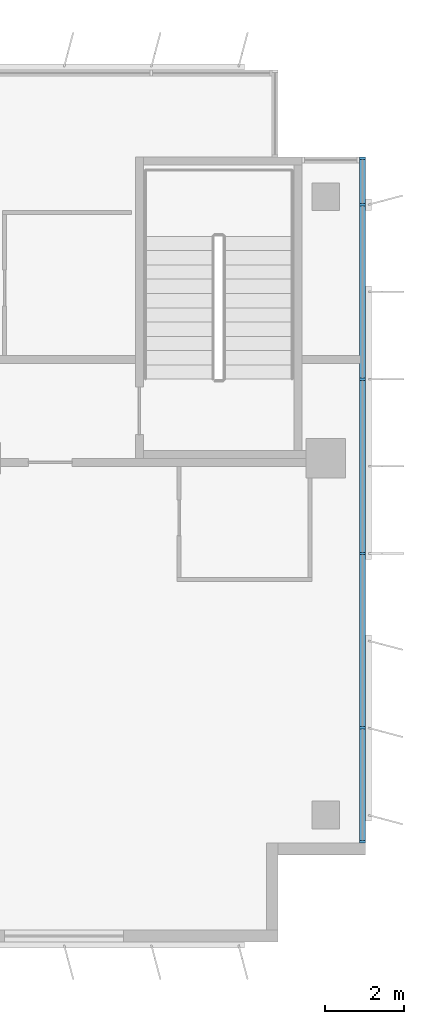
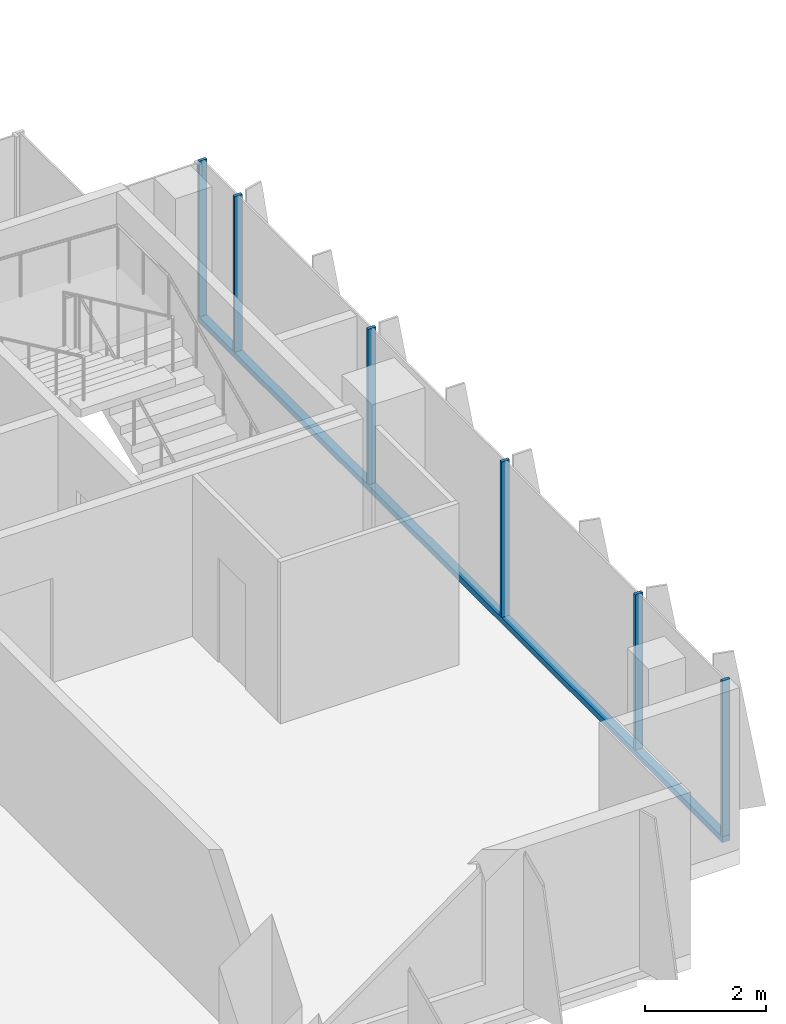
# One storey, part 8 of 21: 7 members, 1 element without a shape of its own.
"""IFC4 building model written with IfcOpenShell, lengths in metres."""

from ifc_helpers import new_model, si_unit, direction, frame, origin, origin_2d, place, context, subcontext, project, spatial, rectangle, extrude, source, transform, mapped, material, material_profile, profile_set, type_object, element, aggregate, save


model = new_model("IFC4")

# Units and contexts
model_context = context("Model", 3, precision=1e-05, world=origin(), true_north=direction((0.0, 1.0)))
body_context = subcontext(model_context, "Body", "Model", "MODEL_VIEW")
ifc_project = project(units=[si_unit("LENGTHUNIT", "METRE"), si_unit("AREAUNIT", "SQUARE_METRE"), si_unit("VOLUMEUNIT", "CUBIC_METRE"), si_unit("PLANEANGLEUNIT", "RADIAN"), si_unit("MASSUNIT", "GRAM", prefix="KILO")], contexts=[model_context])

# Site, building, storey
site_placement = place(None, origin())
site = spatial("IfcSite", under=ifc_project, at=site_placement, CompositionType="ELEMENT")
building_placement = place(site_placement, origin())
building = spatial("IfcBuilding", under=site, at=building_placement, Name="Kemantara Hotel Tower", CompositionType="ELEMENT")
storey_placement = place(building_placement, frame((0.0, 0.0, 198.800048828125)))
storey = spatial("IfcBuildingStorey", under=building, at=storey_placement, Name="L49", CompositionType="ELEMENT", Elevation=198.800048828125)

# Curtain wall, members
ifc_material_1 = material(Name="Low-E tinted double insulated glass 36 mm", Category="glass")
curtain_wall_type = type_object("IfcCurtainWallType", Name="TOWER CURTAIN WALL, FRONT FACES", PredefinedType="USERDEFINED", material=ifc_material_1)
curtain_wall_placement = place(storey_placement, origin())
curtain_wall = element("IfcCurtainWall", 1, at=curtain_wall_placement, inside=storey, type_object=curtain_wall_type, Name="CW4 L49 T3-R11-1", ObjectType="TOWER CURTAIN WALL, FRONT FACES", PredefinedType="USERDEFINED")
ifc_material_2 = material(Name="Aluminium 6063-T6 bronze anodised", Category="aluminium")
ifc_material_profile_1 = material_profile(ifc_material_2, rectangle(XDim=0.14990234375, YDim=0.1201171875, at=origin_2d()), Name="TOWER CURTAIN WALL, FRONT FACES TRANSOM")
ifc_profile_set_1 = profile_set([ifc_material_profile_1], Name="Aluminium 6063-T6 bronze anodised")
member_type_1 = type_object("IfcMemberType", Name="TOWER CURTAIN WALL, FRONT FACES TRANSOM", PredefinedType="USERDEFINED", material=ifc_profile_set_1)
member_1_placement = place(storey_placement, frame((63.52490234375, 2.5, 0.06005859375), z_axis=(0.0, 1.0, 0.0), x_axis=(-1.0, 0.0, 0.0)))
member_1 = element("IfcMember", 2, at=member_1_placement, type_object=member_type_1, Name="CW4 sill transom T3-R11-1", ObjectType="TRANSOM", PredefinedType="USERDEFINED", context=body_context, shape_type="SweptSolid", body=[
    extrude(rectangle(XDim=0.14990234375, YDim=0.1201171875, at=origin_2d()), origin(), (0.0, 0.0, 1.0), 17.300048828125),
])
ifc_material_profile_2 = material_profile(ifc_material_2, rectangle(XDim=0.14990234375, YDim=0.06005859375, at=origin_2d()), Name="TOWER CURTAIN WALL, FRONT FACES MULLION")
ifc_profile_set_2 = profile_set([ifc_material_profile_2], Name="Aluminium 6063-T6 bronze anodised")
member_type_2 = type_object("IfcMemberType", Name="TOWER CURTAIN WALL, FRONT FACES MULLION", PredefinedType="MULLION", material=ifc_profile_set_2)
shared_shape = source(origin(), body_context, "Body", "SweptSolid", [
    extrude(rectangle(XDim=0.14990234375, YDim=0.06005859375, at=origin_2d()), origin(), (0.0, 0.0, 1.0), 3.130126953125),
])
member_2_placement = place(storey_placement, frame((63.52490234375, 2.530029296875, 0.119873046875), z_axis=(0.0, 0.0, 1.0), x_axis=(-1.0, 0.0, 0.0)))
member_2 = element("IfcMember", 3, at=member_2_placement, type_object=member_type_2, Name="CW4 mullion T3-R11-1.1", PredefinedType="MULLION", context=body_context, shape_type="MappedRepresentation", body=[
    mapped(shared_shape, transform((0.0, 0.0, 0.0))),
])
member_3_placement = place(storey_placement, frame((63.52490234375, 5.39990234375, 0.119873046875), z_axis=(0.0, 0.0, 1.0), x_axis=(-1.0, 0.0, 0.0)))
member_3 = element("IfcMember", 4, at=member_3_placement, type_object=member_type_2, Name="CW4 mullion T3-R11-1.2", PredefinedType="MULLION", context=body_context, shape_type="MappedRepresentation", body=[
    mapped(shared_shape, transform((0.0, 0.0, 0.0))),
])
member_4_placement = place(storey_placement, frame((63.52490234375, 9.800048828125, 0.119873046875), z_axis=(0.0, 0.0, 1.0), x_axis=(-1.0, 0.0, 0.0)))
member_4 = element("IfcMember", 5, at=member_4_placement, type_object=member_type_2, Name="CW4 mullion T3-R11-1.3", PredefinedType="MULLION", context=body_context, shape_type="MappedRepresentation", body=[
    mapped(shared_shape, transform((0.0, 0.0, 0.0))),
])
member_5_placement = place(storey_placement, frame((63.52490234375, 14.199951171875, 0.119873046875), z_axis=(0.0, 0.0, 1.0), x_axis=(-1.0, 0.0, 0.0)))
member_5 = element("IfcMember", 6, at=member_5_placement, type_object=member_type_2, Name="CW4 mullion T3-R11-1.4", PredefinedType="MULLION", context=body_context, shape_type="MappedRepresentation", body=[
    mapped(shared_shape, transform((0.0, 0.0, 0.0))),
])
member_6_placement = place(storey_placement, frame((63.52490234375, 18.60009765625, 0.119873046875), z_axis=(0.0, 0.0, 1.0), x_axis=(-1.0, 0.0, 0.0)))
member_6 = element("IfcMember", 7, at=member_6_placement, type_object=member_type_2, Name="CW4 mullion T3-R11-1.5", PredefinedType="MULLION", context=body_context, shape_type="MappedRepresentation", body=[
    mapped(shared_shape, transform((0.0, 0.0, 0.0))),
])
member_7_placement = place(storey_placement, frame((63.52490234375, 19.77001953125, 0.119873046875), z_axis=(0.0, 0.0, 1.0), x_axis=(-1.0, 0.0, 0.0)))
member_7 = element("IfcMember", 8, at=member_7_placement, type_object=member_type_2, Name="CW4 mullion T3-R11-1.6", PredefinedType="MULLION", context=body_context, shape_type="MappedRepresentation", body=[
    mapped(shared_shape, transform((0.0, 0.0, 0.0))),
])
aggregate(curtain_wall, [member_1, member_2, member_3, member_4, member_5, member_6, member_7])

save(model, "model.ifc")
